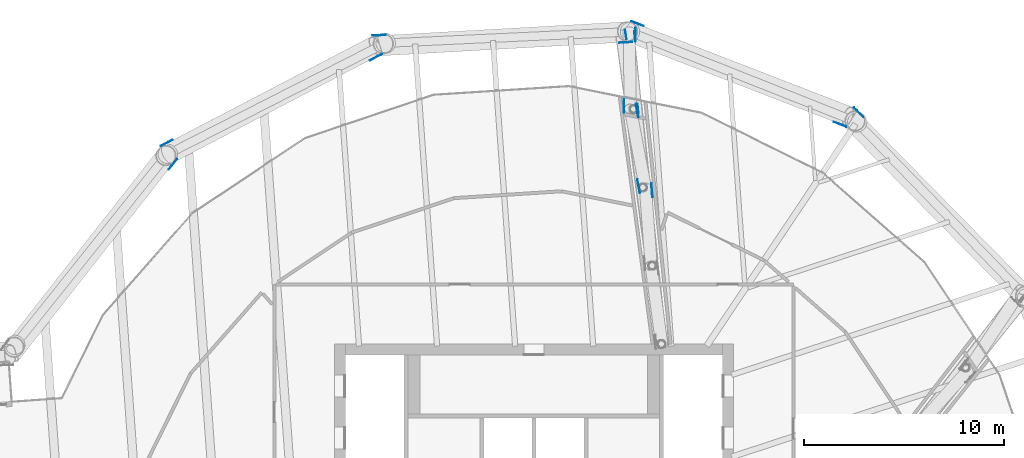
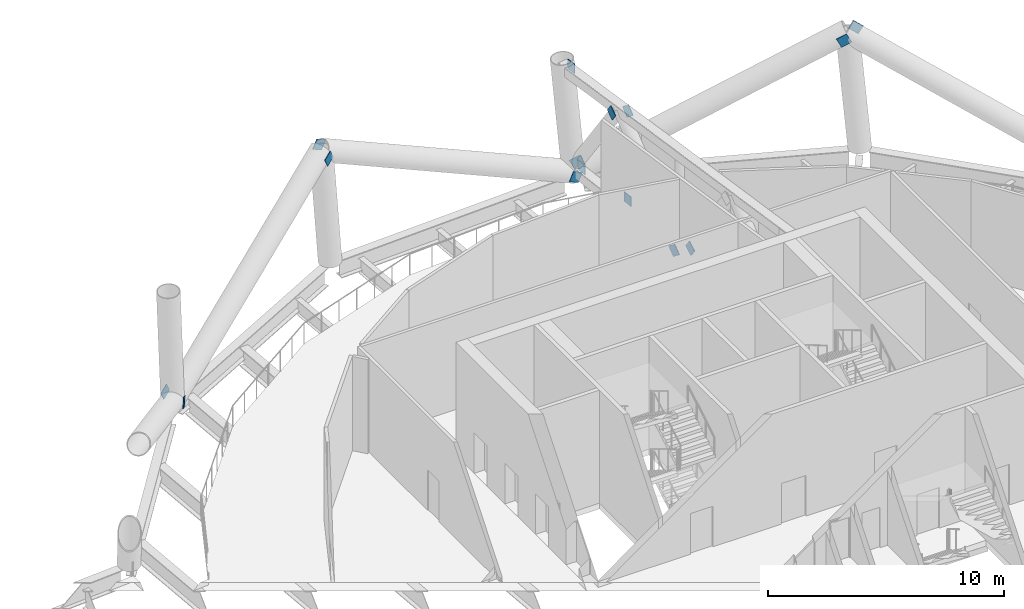
# One storey, part 23 of 33: 16 discrete accessories.
"""IFC4 building model written with IfcOpenShell, lengths in metres."""

from ifc_helpers import new_model, si_unit, direction, frame, origin, origin_2d, place, context, subcontext, project, spatial, rectangle, extrude, material, material_profile, profile_set, type_object, element, save


model = new_model("IFC4")

# Units and contexts
model_context = context("Model", 3, precision=1e-05, world=origin(), true_north=direction((0.0, 1.0)))
body_context = subcontext(model_context, "Body", "Model", "MODEL_VIEW")
ifc_project = project(units=[si_unit("LENGTHUNIT", "METRE"), si_unit("AREAUNIT", "SQUARE_METRE"), si_unit("VOLUMEUNIT", "CUBIC_METRE"), si_unit("PLANEANGLEUNIT", "RADIAN"), si_unit("MASSUNIT", "GRAM", prefix="KILO")], contexts=[model_context])

# Site, building, storey
site_placement = place(None, origin())
site = spatial("IfcSite", under=ifc_project, at=site_placement, CompositionType="ELEMENT")
building_placement = place(site_placement, origin())
building = spatial("IfcBuilding", under=site, at=building_placement, Name="Tarsis Ring Headquarters", CompositionType="ELEMENT")
storey_placement = place(building_placement, frame((0.0, 0.0, 302.0)))
storey = spatial("IfcBuildingStorey", under=building, at=storey_placement, Name="L71", CompositionType="ELEMENT", Elevation=302.0)

# Discrete accessories
ifc_material = material(Name="Structural steel S355", Category="steel")
ifc_material_profile = material_profile(ifc_material, rectangle(XDim=0.02490234375, YDim=0.5, at=origin_2d()), Name="PL 25x500")
ifc_profile_set = profile_set([ifc_material_profile], Name="Structural steel S355")
discrete_accessory_type_1 = type_object("IfcDiscreteAccessoryType", Name="Gusset plate Belt truss 25", PredefinedType="BRACKET", material=ifc_profile_set)
discrete_accessory_1_placement = place(storey_placement, frame((16.10693359375, 24.781982421875, 6.0), z_axis=(0.63481269695, -0.645067363593, -0.425324506957), x_axis=(0.712749391277, 0.701418780212, 0.0)))
element("IfcDiscreteAccessory", 1, at=discrete_accessory_1_placement, inside=storey, type_object=discrete_accessory_type_1, Name="Gusset plate GP4", PredefinedType="BRACKET", context=body_context, shape_type="SweptSolid", body=[
    extrude(rectangle(XDim=0.02490234375, YDim=0.5, at=origin_2d()), origin(), (0.0, 0.0, 1.0), 0.5),
])
discrete_accessory_2_placement = place(storey_placement, frame((4.98095703125, 29.1357421875, 0.0), z_axis=(0.830347012006, -0.321393137588, 0.455225538347), x_axis=(0.360963322504, 0.932580012549, 0.0)))
element("IfcDiscreteAccessory", 2, at=discrete_accessory_2_placement, inside=storey, type_object=discrete_accessory_type_1, Name="Gusset plate GP4", PredefinedType="BRACKET", context=body_context, shape_type="SweptSolid", body=[
    extrude(rectangle(XDim=0.02490234375, YDim=0.5, at=origin_2d()), origin(), (0.0, 0.0, 1.0), 0.499755859375),
])
discrete_accessory_3_placement = place(storey_placement, frame((15.548095703125, 23.931884765625, 6.0), z_axis=(-0.830628790353, 0.320824876697, -0.455112306061), x_axis=(-0.360301673574, -0.932835839802, 0.0)))
element("IfcDiscreteAccessory", 3, at=discrete_accessory_3_placement, inside=storey, type_object=discrete_accessory_type_1, Name="Gusset plate GP4", PredefinedType="BRACKET", context=body_context, shape_type="SweptSolid", body=[
    extrude(rectangle(XDim=0.02490234375, YDim=0.5, at=origin_2d()), origin(), (0.0, 0.0, 1.0), 0.5),
])
for number, where, z_axis, x_axis, name in (
    (4, (4.822021484375, 28.130615234375, 0.0), (-0.903595463542, -0.05030828797, 0.425422512835), (0.055589584575, -0.998453703527, 0.0), "Gusset plate GP4"),
    (5, (-7.979736328125, 28.458984375, 6.0), (0.903595463542, 0.05030828797, -0.425422512835), (-0.055589584575, 0.998453703527, 0.0), "Gusset plate GP4"),
):
    element("IfcDiscreteAccessory", number, at=place(storey_placement, frame(where, z_axis=z_axis, x_axis=x_axis)), inside=storey, type_object=discrete_accessory_type_1, Name=name, PredefinedType="BRACKET", context=body_context, shape_type="SweptSolid", body=[
        extrude(rectangle(XDim=0.02490234375, YDim=0.5, at=origin_2d()), origin(), (0.0, 0.0, 1.0), 0.499755859375),
    ])
for number, where, z_axis, x_axis, name in (
    (6, (-18.59521484375, 22.9765625, 0.0), (0.78958297287, 0.411637876394, 0.455096679477), (-0.462284867074, 0.886731471007, 0.0), "Gusset plate GP4"),
    (7, (-7.710205078125, 27.477783203125, 6.0), (-0.78958297287, -0.411637876394, -0.455096679477), (0.462284867074, -0.886731471007, 0.0), "Gusset plate GP4"),
    (8, (-17.945068359375, 22.193603515625, 0.0), (-0.558671209772, -0.712012783084, 0.425351943804), (0.786730094917, -0.617297138947, 0.0), "Gusset plate GP4"),
):
    element("IfcDiscreteAccessory", number, at=place(storey_placement, frame(where, z_axis=z_axis, x_axis=x_axis)), inside=storey, type_object=discrete_accessory_type_1, Name=name, PredefinedType="BRACKET", context=body_context, shape_type="SweptSolid", body=[
        extrude(rectangle(XDim=0.02490234375, YDim=0.5, at=origin_2d()), origin(), (0.0, 0.0, 1.0), 0.5),
    ])
discrete_accessory_type_2 = type_object("IfcDiscreteAccessoryType", Name="Gusset plate Outrigger 25", PredefinedType="BRACKET", material=ifc_profile_set)
discrete_accessory_4_placement = place(storey_placement, frame((5.90185546875, 20.8505859375, 0.25390625), z_axis=(0.044416468194, -0.589128319887, 0.806817823341), x_axis=(0.997169966365, 0.075180171449, 0.0)))
element("IfcDiscreteAccessory", 9, at=discrete_accessory_4_placement, inside=storey, type_object=discrete_accessory_type_2, Name="Gusset plate GP1", PredefinedType="BRACKET", context=body_context, shape_type="SweptSolid", body=[
    extrude(rectangle(XDim=0.02490234375, YDim=0.5, at=origin_2d()), origin(), (0.0, 0.0, 1.0), 0.500244140625),
])
for number, where, z_axis, x_axis, name in (
    (10, (5.27392578125, 20.767578125, 0.25390625), (-0.112766476081, 0.59312237419, 0.797175997574), (-0.982402203629, -0.186777702912, 0.0), "Gusset plate GP1"),
    (11, (5.142822265625, 24.8544921875, 5.5859375), (0.112810371862, -0.593353254597, -0.796997951854), (0.982402203629, 0.186777702912, 0.0), "Gusset plate GP1"),
    (12, (4.513916015625, 24.790283203125, 5.5859375), (-0.009276526564, 0.586374126507, -0.809987240528), (-0.999874884914, -0.015818170536, 0.0), "Gusset plate GP1"),
    (13, (5.08837890625, 28.65869140625, 0.25390625), (0.009279182378, -0.586053623871, 0.810219135001), (0.999874676341, 0.015831349042, 0.0), "Gusset plate GP1"),
):
    element("IfcDiscreteAccessory", number, at=place(storey_placement, frame(where, z_axis=z_axis, x_axis=x_axis)), inside=storey, type_object=discrete_accessory_type_2, Name=name, PredefinedType="BRACKET", context=body_context, shape_type="SweptSolid", body=[
        extrude(rectangle(XDim=0.02490234375, YDim=0.5, at=origin_2d()), origin(), (0.0, 0.0, 1.0), 0.5),
    ])
discrete_accessory_type_3 = type_object("IfcDiscreteAccessoryType", Name="Gusset plate Outrigger chord 25", PredefinedType="BRACKET", material=ifc_profile_set)
for number, where, z_axis, x_axis, name in (
    (14, (5.0361328125, 28.681396484375, 0.25390625), (0.10351551394, -0.994627839131, 0.0), (0.994627839131, 0.10351551394, 0.0), "Gusset plate GP3"),
    (15, (4.572509765625, 28.761962890625, 5.5859375), (0.131843859112, -0.99127049629, 0.0), (0.99127049629, 0.131843859112, 0.0), "Gusset plate GP3"),
    (16, (5.21923828125, 24.7900390625, 0.508056640625), (0.0, 0.0, 1.0), (0.994629534941, 0.103499218467, 0.0), "Gusset plate GP3"),
):
    element("IfcDiscreteAccessory", number, at=place(storey_placement, frame(where, z_axis=z_axis, x_axis=x_axis)), inside=storey, type_object=discrete_accessory_type_3, Name=name, PredefinedType="BRACKET", context=body_context, shape_type="SweptSolid", body=[
        extrude(rectangle(XDim=0.02490234375, YDim=0.5, at=origin_2d()), origin(), (0.0, 0.0, 1.0), 0.5),
    ])

save(model, "model.ifc")
